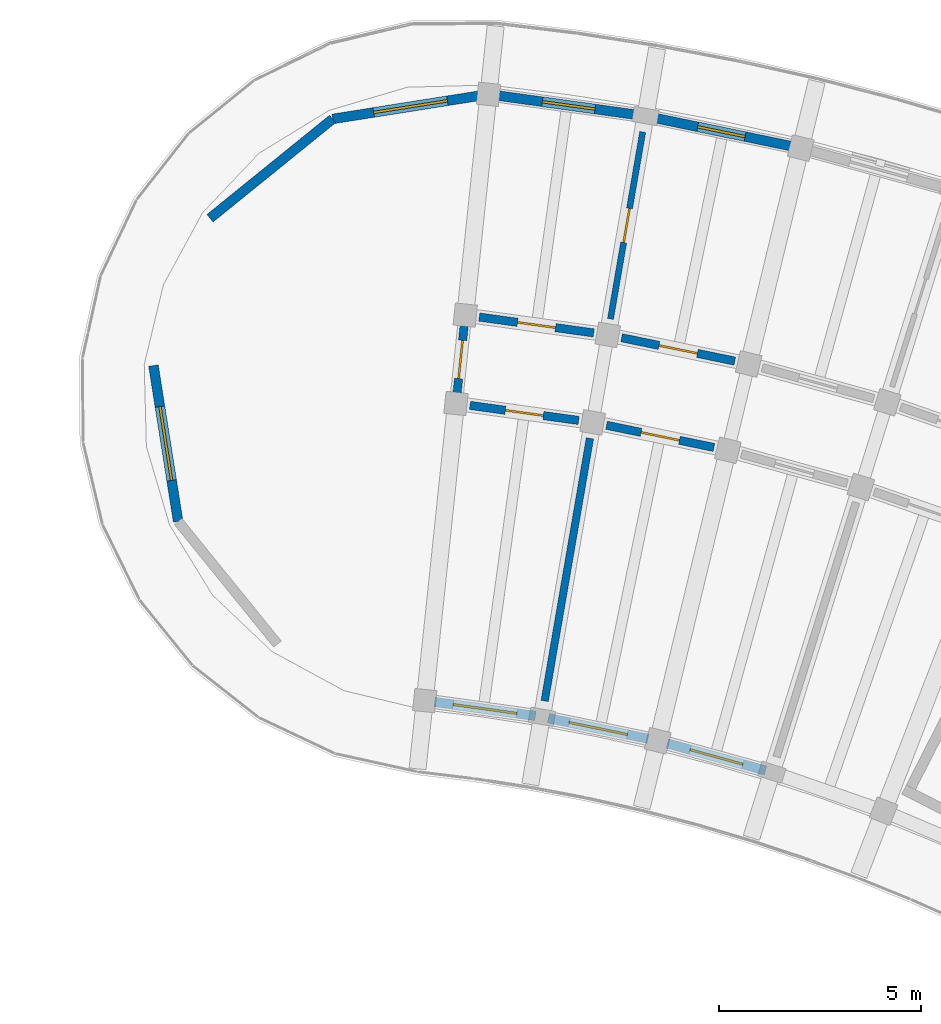
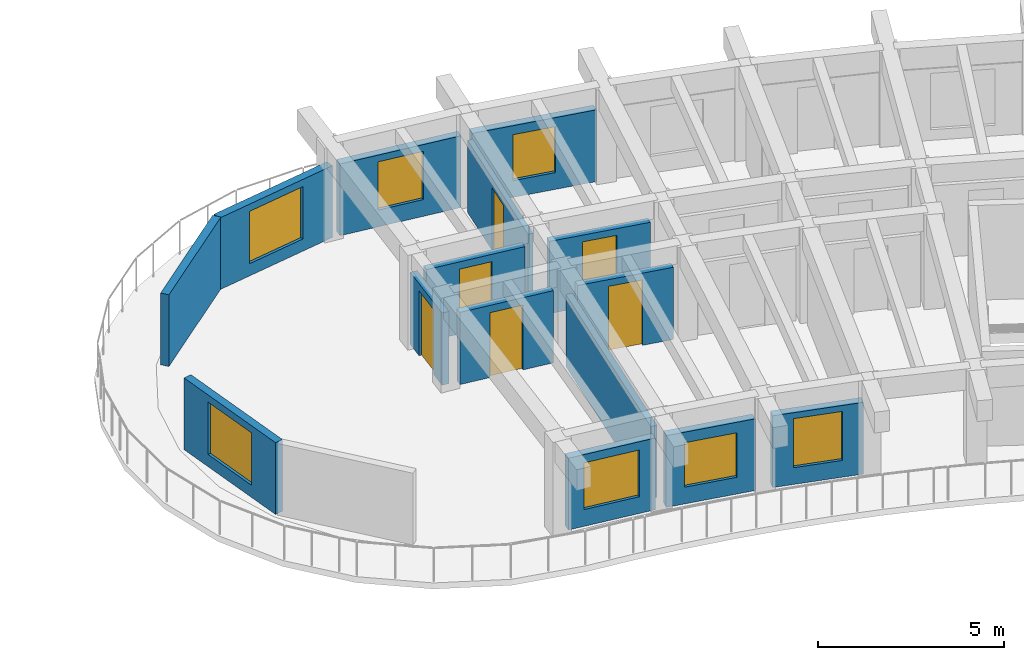
# One storey, part 38 of 69: 15 walls, 7 windows, 6 doors, 13 openings.
"""IFC4 building model written with IfcOpenShell, lengths in metres."""

import ifcopenshell
import ifcopenshell.guid

model = None  # the IFC model being written
_history = None  # IfcOwnerHistory: only IFC2X3 demands one
_inside = {}  # id of a spatial element -> (the spatial element, [elements in it])
_under = {}  # id of a project, library or spatial element -> (it, [spatial elements below it])
_declared = {}  # id of a project -> (the project, [libraries it declares])
_typed = {}  # id of a type object -> (the type object, [elements of that type])
_made_of = {}  # id of a material, layer set ... -> (it, [elements and type objects made of it])


def new_model(schema):
    """Start an empty IFC model of exactly this schema.

    Asked for "IFC4X3", IfcOpenShell would pick the latest addendum, in which some entities
    have other attributes; the version numbers below select the first issue.
    IFC2X3 requires an IfcOwnerHistory on every rooted entity: one is made here for all.
    """
    global model, _history
    if schema == "IFC4X3":
        model = ifcopenshell.file(schema_version=(4, 3, 0, 0))
    else:
        model = ifcopenshell.file(schema=schema)
    _inside.clear()
    _under.clear()
    _declared.clear()
    _typed.clear()
    _made_of.clear()
    _history = None
    if model.schema == "IFC2X3":
        org = make("IfcOrganization", Name="unknown")
        user = make(
            "IfcPersonAndOrganization",
            ThePerson=make("IfcPerson", FamilyName="unknown"),
            TheOrganization=org,
        )
        app = make(
            "IfcApplication",
            ApplicationDeveloper=org,
            Version="unknown",
            ApplicationFullName="unknown",
            ApplicationIdentifier="unknown",
        )
        _history = make(
            "IfcOwnerHistory",
            OwningUser=user,
            OwningApplication=app,
            ChangeAction="ADDED",
            CreationDate=0,
        )
    return model


def make(cls, **values):
    """One entity of the class cls with the attributes given. An attribute that is None is left unset."""
    return model.create_entity(
        cls, **{name: value for name, value in values.items() if value is not None}
    )


def rooted(cls, **values):
    """An entity with a GlobalId (a new one), such as an element, a storey or a relation."""
    return make(cls, GlobalId=ifcopenshell.guid.new(), OwnerHistory=_history, **values)


def si_unit(unit_type, name, prefix=None):
    """IfcSIUnit, for example si_unit("LENGTHUNIT", "METRE", prefix="MILLI")."""
    return make("IfcSIUnit", UnitType=unit_type, Prefix=prefix, Name=name)


def assignment(units):
    """IfcUnitAssignment: the units of a project."""
    return None if units is None else make("IfcUnitAssignment", Units=units)


def point(xyz):
    """IfcCartesianPoint."""
    return None if xyz is None else make("IfcCartesianPoint", Coordinates=xyz)


def direction(xyz):
    """IfcDirection."""
    return None if xyz is None else make("IfcDirection", DirectionRatios=xyz)


def frame(location, z_axis=None, x_axis=None):
    """IfcAxis2Placement3D, a coordinate frame: its origin and axes. An axis left out is left unset."""
    return make(
        "IfcAxis2Placement3D",
        Location=point(location),
        Axis=direction(z_axis),
        RefDirection=direction(x_axis),
    )


def frame_2d(location, x_axis=None):
    """IfcAxis2Placement2D, a coordinate frame in the plane: its origin and x axis."""
    return make(
        "IfcAxis2Placement2D", Location=point(location), RefDirection=direction(x_axis)
    )


def origin():
    """The frame at (0, 0, 0) with its axes left unset."""
    return frame((0.0, 0.0, 0.0))


def place(relative_to, where):
    """IfcLocalPlacement: puts the frame where relative to a parent placement (None: the world)."""
    return make(
        "IfcLocalPlacement", PlacementRelTo=relative_to, RelativePlacement=where
    )


def context(
    kind, dimensions, precision=None, world=None, true_north=None, identifier=None
):
    """IfcGeometricRepresentationContext, for example the 3D "Model" context."""
    return make(
        "IfcGeometricRepresentationContext",
        ContextIdentifier=identifier,
        ContextType=kind,
        CoordinateSpaceDimension=dimensions,
        Precision=precision,
        WorldCoordinateSystem=world,
        TrueNorth=true_north,
    )


def subcontext(parent, identifier, kind, view, scale=None):
    """IfcGeometricRepresentationSubContext, for example "Body" below "Model"."""
    return make(
        "IfcGeometricRepresentationSubContext",
        ContextIdentifier=identifier,
        ContextType=kind,
        ParentContext=parent,
        TargetScale=scale,
        TargetView=view,
    )


def project(units=None, contexts=None):
    """IfcProject with its units and contexts."""
    return rooted(
        "IfcProject",
        Name="project",
        RepresentationContexts=contexts,
        UnitsInContext=assignment(units),
    )


def spatial(cls, under=None, at=None, **own):
    """A site, building, storey or space (cls), placed at a placement, below another one or the project."""
    s = rooted(cls, ObjectPlacement=at, **own)
    if under is not None:
        _under.setdefault(under.id(), (under, []))[1].append(s)
    return s


def profile(cls, at=None, kind="AREA", **sizes):
    """A parametric profile (cls). Its sizes go by their IFC names, for example OverallWidth=200.0."""
    return make(cls, ProfileType=kind, Position=at, **sizes)


def rectangle(**sizes):
    """IfcRectangleProfileDef."""
    return profile("IfcRectangleProfileDef", **sizes)


def extrude(swept, where, along, depth):
    """IfcExtrudedAreaSolid: the profile swept, set in the frame where, extruded along a direction by depth."""
    return make(
        "IfcExtrudedAreaSolid",
        SweptArea=swept,
        Position=where,
        ExtrudedDirection=direction(along),
        Depth=depth,
    )


def shape(context_of_items, identifier, shape_type, items):
    """IfcShapeRepresentation: the items that make up one representation, for example the "Body"."""
    return make(
        "IfcShapeRepresentation",
        ContextOfItems=context_of_items,
        RepresentationIdentifier=identifier,
        RepresentationType=shape_type,
        Items=items,
    )


def material(Name=None, Category=None):
    """IfcMaterial."""
    return make("IfcMaterial", Name=Name, Category=Category)


def layer(
    of_material, thickness, ventilated=None, Name=None, Category=None, Priority=None
):
    """IfcMaterialLayer: one layer of a wall or slab, of a material (None: an air gap)."""
    return make(
        "IfcMaterialLayer",
        Material=of_material,
        LayerThickness=thickness,
        IsVentilated=ventilated,
        Name=Name,
        Category=Category,
        Priority=Priority,
    )


def layer_set(layers, Name=None):
    """IfcMaterialLayerSet."""
    return make("IfcMaterialLayerSet", MaterialLayers=layers, LayerSetName=Name)


def made_of(thing, what):
    """Note that an element or type object is made of a material, layer set ...; save() writes the relation."""
    if what is not None:
        _made_of.setdefault(what.id(), (what, []))[1].append(thing)
    return thing


def type_object(cls, material=None, **own):
    """A type object (cls), such as IfcWallType, which elements share."""
    return made_of(rooted(cls, **own), material)


def element(
    cls,
    number,
    at=None,
    inside=None,
    cuts=None,
    type_object=None,
    material=None,
    context=None,
    identifier="Body",
    shape_type=None,
    held_by="IfcProductDefinitionShape",
    body=None,
    shapes=None,
    **own,
):
    """One element of the class cls, such as IfcWall. Its Tag is "e" and its number.

    at: its placement. inside: the storey or other place that contains it. cuts: it is an
    opening in that element (IfcRelVoidsElement). A single representation is given by context,
    identifier, shape_type and body (its items); several are given by shapes. held_by: the class
    of the entity that holds the representations. save() writes the other relations.
    """
    e = rooted(cls, Tag="e%d" % number, ObjectPlacement=at, **own)
    if body is not None:
        shapes = [shape(context, identifier, shape_type, body)]
    if shapes is not None:
        e.Representation = make(held_by, Representations=shapes)
    if inside is not None:
        _inside.setdefault(inside.id(), (inside, []))[1].append(e)
    if cuts is not None:
        rooted(
            "IfcRelVoidsElement", RelatingBuildingElement=cuts, RelatedOpeningElement=e
        )
    if type_object is not None:
        _typed.setdefault(type_object.id(), (type_object, []))[1].append(e)
    return made_of(e, material)


def fill(opening, filler):
    """IfcRelFillsElement: the door or window that sits in an opening."""
    return rooted(
        "IfcRelFillsElement",
        RelatingOpeningElement=opening,
        RelatedBuildingElement=filler,
    )


def aggregate(whole, parts):
    """IfcRelAggregates: a whole, such as a stair, and the parts it consists of."""
    return rooted("IfcRelAggregates", RelatingObject=whole, RelatedObjects=parts)


def save(model, path):
    """Write the relations noted so far, then the file.

    IfcRelAggregates (storeys below a building ...), IfcRelContainedInSpatialStructure (elements
    in a storey), IfcRelDefinesByType, IfcRelAssociatesMaterial and IfcRelDeclares: one each for
    every whole, place, type object, material and project.
    """
    for whole, parts in _under.values():
        aggregate(whole, parts)
    for where, things in _inside.values():
        rooted(
            "IfcRelContainedInSpatialStructure",
            RelatedElements=things,
            RelatingStructure=where,
        )
    for kind, things in _typed.values():
        rooted("IfcRelDefinesByType", RelatedObjects=things, RelatingType=kind)
    for what, things in _made_of.values():
        rooted("IfcRelAssociatesMaterial", RelatedObjects=things, RelatingMaterial=what)
    for by, libraries in _declared.values():
        rooted("IfcRelDeclares", RelatingContext=by, RelatedDefinitions=libraries)
    model.write(path)


model = new_model("IFC4")

# Units and contexts
model_context = context("Model", 3, precision=1e-05, world=origin(), true_north=direction((0.0, 1.0)))
body_context = subcontext(model_context, "Body", "Model", "MODEL_VIEW")
ifc_project = project(units=[si_unit("LENGTHUNIT", "METRE"), si_unit("AREAUNIT", "SQUARE_METRE"), si_unit("VOLUMEUNIT", "CUBIC_METRE"), si_unit("PLANEANGLEUNIT", "RADIAN"), si_unit("MASSUNIT", "GRAM", prefix="KILO")], contexts=[model_context])

# Site, building, storey
site_placement = place(None, origin())
site = spatial("IfcSite", under=ifc_project, at=site_placement, CompositionType="ELEMENT")
building_placement = place(site_placement, origin())
building = spatial("IfcBuilding", under=site, at=building_placement, Name="Tanwirah Colonnade Gardens", CompositionType="ELEMENT")
storey_placement = place(building_placement, frame((0.0, 0.0, 15.56005859375)))
storey = spatial("IfcBuildingStorey", under=building, at=storey_placement, Name="L04", CompositionType="ELEMENT", Elevation=15.56005859375)

# Wall, opening, window
ifc_material_1 = material(Name="Limestone architectural precast concrete C40/50", Category="masonry")
ifc_layer_1 = layer(ifc_material_1, 0.239990234375)
ifc_layer_set_1 = layer_set([ifc_layer_1], Name="Limestone architectural precast concrete C40/50")
wall_type_1 = type_object("IfcWallType", Name="EW-PC240", PredefinedType="SOLIDWALL", material=ifc_layer_set_1)
wall_1_placement = place(storey_placement, frame((134.0888671875, 102.674072265625, 0.0), z_axis=(0.0, 0.0, 1.0), x_axis=(-0.963901971286, 0.266257375017, 0.0)))
wall_1 = element("IfcWall", 1, at=wall_1_placement, inside=storey, type_object=wall_type_1, Name="Block B L04 IN Precast Facade Wall 15", PredefinedType="SOLIDWALL", context=body_context, shape_type="SweptSolid", body=[
    extrude(rectangle(XDim=2.525146484375, YDim=0.239990234375, at=frame_2d((1.2626953125, 0.0))), origin(), (0.0, 0.0, 1.0), 2.35498046875),
])
opening_1_placement = place(wall_1_placement, frame((0.58251953125, 0.0, 0.550048828125)))
opening_1 = element("IfcOpeningElement", 2, at=opening_1_placement, cuts=wall_1, Name="Opening WIN-U06", PredefinedType="OPENING", context=body_context, shape_type="SweptSolid", body=[
    extrude(rectangle(XDim=1.360107421875, YDim=1.610107421875, at=frame_2d((0.68017578125, 0.80517578125))), frame((0.0, 0.1298828125, 0.0), z_axis=(0.0, -1.0, 0.0), x_axis=(1.0, 0.0, 0.0)), (0.0, 0.0, 1.0), 0.260009765625),
])
ifc_material_2 = material(Name="Thermally broken bronze aluminium and solar low-E double glazing", Category="aluminium")
window_type_1 = type_object("IfcWindowType", Name="WIN-U06", PartitioningType="DOUBLE_PANEL_VERTICAL", PredefinedType="WINDOW", material=ifc_material_2)
window_1_placement = place(opening_1_placement, origin())
window_1 = element("IfcWindow", 3, at=window_1_placement, inside=storey, type_object=window_type_1, Name="Facade window B-L04-IN-15", OverallHeight=1.610107421875, OverallWidth=1.360107421875, PartitioningType="SINGLE_PANEL", PredefinedType="WINDOW", context=body_context, shape_type="SweptSolid", body=[
    extrude(rectangle(XDim=1.360107421875, YDim=1.610107421875, at=frame_2d((0.68017578125, 0.80517578125))), frame((0.0, 0.030029296875, 0.0), z_axis=(0.0, -1.0, 0.0), x_axis=(1.0, 0.0, 0.0)), (0.0, 0.0, 1.0), 0.06005859375),
])
fill(opening_1, window_1)

wall_2_placement = place(storey_placement, frame((134.7177734375, 118.140625, 0.0), z_axis=(0.0, 0.0, 1.0), x_axis=(-0.979340051053, 0.202220336275, 0.0)))
wall_2 = element("IfcWall", 4, at=wall_2_placement, inside=storey, type_object=wall_type_1, Name="Block B L04 OUT Precast Facade Wall 16", PredefinedType="SOLIDWALL", context=body_context, shape_type="SweptSolid", body=[
    extrude(rectangle(XDim=3.5205078125, YDim=0.239990234375, at=frame_2d((1.76025390625, 0.0))), origin(), (0.0, 0.0, 1.0), 2.35498046875),
])
opening_2_placement = place(wall_2_placement, frame((1.160400390625, 0.0, 0.550048828125)))
opening_2 = element("IfcOpeningElement", 5, at=opening_2_placement, cuts=wall_2, Name="Opening WIN-U02", PredefinedType="OPENING", context=body_context, shape_type="SweptSolid", body=[
    extrude(rectangle(XDim=1.199951171875, YDim=1.510009765625, at=frame_2d((0.60009765625, 0.7548828125))), frame((0.0, 0.1298828125, 0.0), z_axis=(0.0, -1.0, 0.0), x_axis=(1.0, 0.0, 0.0)), (0.0, 0.0, 1.0), 0.260009765625),
])
window_type_2 = type_object("IfcWindowType", Name="WIN-U02", PartitioningType="DOUBLE_PANEL_VERTICAL", PredefinedType="WINDOW", material=ifc_material_2)
window_2_placement = place(opening_2_placement, origin())
window_2 = element("IfcWindow", 6, at=window_2_placement, inside=storey, type_object=window_type_2, Name="Facade window B-L04-OUT-16", OverallHeight=1.510009765625, OverallWidth=1.199951171875, PartitioningType="SINGLE_PANEL", PredefinedType="WINDOW", context=body_context, shape_type="SweptSolid", body=[
    extrude(rectangle(XDim=1.199951171875, YDim=1.510009765625, at=frame_2d((0.60009765625, 0.7548828125))), frame((0.0, 0.030029296875, 0.0), z_axis=(0.0, -1.0, 0.0), x_axis=(1.0, 0.0, 0.0)), (0.0, 0.0, 1.0), 0.06005859375),
])
fill(opening_2, window_2)

wall_3_placement = place(storey_placement, frame((131.1787109375, 103.46142578125, 0.0), z_axis=(0.0, 0.0, 1.0), x_axis=(-0.979353576928, 0.202154820272, 0.0)))
wall_3 = element("IfcWall", 7, at=wall_3_placement, inside=storey, type_object=wall_type_1, Name="Block B L04 IN Precast Facade Wall 16", PredefinedType="SOLIDWALL", context=body_context, shape_type="SweptSolid", body=[
    extrude(rectangle(XDim=2.525390625, YDim=0.239990234375, at=frame_2d((1.2626953125, 0.0))), origin(), (0.0, 0.0, 1.0), 2.35498046875),
])
opening_3_placement = place(wall_3_placement, frame((0.522705078125, 0.0, 0.550048828125)))
opening_3 = element("IfcOpeningElement", 8, at=opening_3_placement, cuts=wall_3, Name="Opening WIN-U09", PredefinedType="OPENING", context=body_context, shape_type="SweptSolid", body=[
    extrude(rectangle(XDim=1.47998046875, YDim=1.4599609375, at=frame_2d((0.739990234375, 0.72998046875))), frame((0.0, 0.1298828125, 0.0), z_axis=(0.0, -1.0, 0.0), x_axis=(1.0, 0.0, 0.0)), (0.0, 0.0, 1.0), 0.260009765625),
])
window_type_3 = type_object("IfcWindowType", Name="WIN-U09", PartitioningType="DOUBLE_PANEL_VERTICAL", PredefinedType="WINDOW", material=ifc_material_2)
window_3_placement = place(opening_3_placement, origin())
window_3 = element("IfcWindow", 9, at=window_3_placement, inside=storey, type_object=window_type_3, Name="Facade window B-L04-IN-16", OverallHeight=1.4599609375, OverallWidth=1.47998046875, PartitioningType="SINGLE_PANEL", PredefinedType="WINDOW", context=body_context, shape_type="SweptSolid", body=[
    extrude(rectangle(XDim=1.47998046875, YDim=1.4599609375, at=frame_2d((0.739990234375, 0.72998046875))), frame((0.0, 0.030029296875, 0.0), z_axis=(0.0, -1.0, 0.0), x_axis=(1.0, 0.0, 0.0)), (0.0, 0.0, 1.0), 0.06005859375),
])
fill(opening_3, window_3)

wall_4_placement = place(storey_placement, frame((130.954833984375, 118.906982421875, 0.0), z_axis=(0.0, 0.0, 1.0), x_axis=(-0.990539718913, 0.137226328578, 0.0)))
wall_4 = element("IfcWall", 10, at=wall_4_placement, inside=storey, type_object=wall_type_1, Name="Block B L04 OUT Precast Facade Wall 17", PredefinedType="SOLIDWALL", context=body_context, shape_type="SweptSolid", body=[
    extrude(rectangle(XDim=3.520751953125, YDim=0.239990234375, at=frame_2d((1.76025390625, 0.0))), origin(), (0.0, 0.0, 1.0), 2.35498046875),
])
opening_4_placement = place(wall_4_placement, frame((1.100341796875, 0.0, 0.550048828125)))
opening_4 = element("IfcOpeningElement", 11, at=opening_4_placement, cuts=wall_4, Name="Opening WIN-U05", PredefinedType="OPENING", context=body_context, shape_type="SweptSolid", body=[
    extrude(rectangle(XDim=1.320068359375, YDim=1.5849609375, at=frame_2d((0.66015625, 0.79248046875))), frame((0.0, 0.1298828125, 0.0), z_axis=(0.0, -1.0, 0.0), x_axis=(1.0, 0.0, 0.0)), (0.0, 0.0, 1.0), 0.260009765625),
])
window_type_4 = type_object("IfcWindowType", Name="WIN-U05", PartitioningType="DOUBLE_PANEL_VERTICAL", PredefinedType="WINDOW", material=ifc_material_2)
window_4_placement = place(opening_4_placement, origin())
window_4 = element("IfcWindow", 12, at=window_4_placement, inside=storey, type_object=window_type_4, Name="Facade window B-L04-OUT-17", OverallHeight=1.5849609375, OverallWidth=1.320068359375, PartitioningType="SINGLE_PANEL", PredefinedType="WINDOW", context=body_context, shape_type="SweptSolid", body=[
    extrude(rectangle(XDim=1.320068359375, YDim=1.5849609375, at=frame_2d((0.66015625, 0.79248046875))), frame((0.0, 0.030029296875, 0.0), z_axis=(0.0, -1.0, 0.0), x_axis=(1.0, 0.0, 0.0)), (0.0, 0.0, 1.0), 0.06005859375),
])
fill(opening_4, window_4)

wall_5_placement = place(storey_placement, frame((128.390380859375, 104.0263671875, 0.0), z_axis=(0.0, 0.0, 1.0), x_axis=(-0.990545622952, 0.13718370476, 0.0)))
wall_5 = element("IfcWall", 13, at=wall_5_placement, inside=storey, type_object=wall_type_1, Name="Block B L04 IN Precast Facade Wall 17", PredefinedType="SOLIDWALL", context=body_context, shape_type="SweptSolid", body=[
    extrude(rectangle(XDim=2.525390625, YDim=0.239990234375, at=frame_2d((1.2626953125, 0.0))), origin(), (0.0, 0.0, 1.0), 2.35498046875),
])
opening_5_placement = place(wall_5_placement, frame((0.462646484375, 0.0, 0.550048828125)))
opening_5 = element("IfcOpeningElement", 14, at=opening_5_placement, cuts=wall_5, Name="Opening WIN-U12", PredefinedType="OPENING", context=body_context, shape_type="SweptSolid", body=[
    extrude(rectangle(XDim=1.60009765625, YDim=1.534912109375, at=frame_2d((0.800048828125, 0.767578125))), frame((0.0, 0.1298828125, 0.0), z_axis=(0.0, -1.0, 0.0), x_axis=(1.0, 0.0, 0.0)), (0.0, 0.0, 1.0), 0.260009765625),
])
window_type_5 = type_object("IfcWindowType", Name="WIN-U12", PartitioningType="DOUBLE_PANEL_VERTICAL", PredefinedType="WINDOW", material=ifc_material_2)
window_5_placement = place(opening_5_placement, origin())
window_5 = element("IfcWindow", 15, at=window_5_placement, inside=storey, type_object=window_type_5, Name="Facade window B-L04-IN-17", OverallHeight=1.534912109375, OverallWidth=1.60009765625, PartitioningType="SINGLE_PANEL", PredefinedType="WINDOW", context=body_context, shape_type="SweptSolid", body=[
    extrude(rectangle(XDim=1.60009765625, YDim=1.534912109375, at=frame_2d((0.800048828125, 0.767578125))), frame((0.0, 0.030029296875, 0.0), z_axis=(0.0, -1.0, 0.0), x_axis=(1.0, 0.0, 0.0)), (0.0, 0.0, 1.0), 0.06005859375),
])
fill(opening_5, window_5)

wall_6_placement = place(storey_placement, frame((119.538330078125, 108.84423828125, 0.0), z_axis=(0.0, 0.0, 1.0), x_axis=(-0.15648221771, 0.987680776132, 0.0)))
wall_6 = element("IfcWall", 16, at=wall_6_placement, inside=storey, type_object=wall_type_1, Name="Block B L04 END Rounded End Wall 2", PredefinedType="SOLIDWALL", context=body_context, shape_type="SweptSolid", body=[
    extrude(rectangle(XDim=3.908203125, YDim=0.239990234375, at=frame_2d((1.9541015625, 0.0))), origin(), (0.0, 0.0, 1.0), 2.35498046875),
])
opening_6_placement = place(wall_6_placement, frame((1.029052734375, 0.0, 0.39990234375)))
opening_6 = element("IfcOpeningElement", 17, at=opening_6_placement, cuts=wall_6, Name="Opening WIN-END1", PredefinedType="OPENING", context=body_context, shape_type="SweptSolid", body=[
    extrude(rectangle(XDim=1.85009765625, YDim=1.719970703125, at=frame_2d((0.925048828125, 0.85986328125))), frame((0.0, 0.1298828125, 0.0), z_axis=(0.0, -1.0, 0.0), x_axis=(1.0, 0.0, 0.0)), (0.0, 0.0, 1.0), 0.260009765625),
])
window_type_6 = type_object("IfcWindowType", Name="WIN-END1", PartitioningType="TRIPLE_PANEL_VERTICAL", PredefinedType="WINDOW", material=ifc_material_2)
window_6_placement = place(opening_6_placement, origin())
window_6 = element("IfcWindow", 18, at=window_6_placement, inside=storey, type_object=window_type_6, Name="Rounded corner window B-L04-END-2", OverallHeight=1.719970703125, OverallWidth=1.85009765625, PartitioningType="SINGLE_PANEL", PredefinedType="WINDOW", context=body_context, shape_type="SweptSolid", body=[
    extrude(rectangle(XDim=1.85009765625, YDim=1.719970703125, at=frame_2d((0.925048828125, 0.85986328125))), frame((0.0, 0.030029296875, 0.0), z_axis=(0.0, -1.0, 0.0), x_axis=(1.0, 0.0, 0.0)), (0.0, 0.0, 1.0), 0.06005859375),
])
fill(opening_6, window_6)

# Wall
wall_7_placement = place(storey_placement, frame((120.327392578125, 116.35302734375, 0.0), z_axis=(0.0, 0.0, 1.0), x_axis=(0.777137204109, 0.629331205321, 0.0)))
element("IfcWall", 19, at=wall_7_placement, inside=storey, type_object=wall_type_1, Name="Block B L04 END Rounded End Wall 4", PredefinedType="SOLIDWALL", context=body_context, shape_type="SweptSolid", body=[
    extrude(rectangle(XDim=3.907958984375, YDim=0.239990234375, at=frame_2d((1.9541015625, 0.0))), origin(), (0.0, 0.0, 1.0), 2.35498046875),
])

# Wall, opening, window
wall_8_placement = place(storey_placement, frame((123.364501953125, 118.8125, 0.0), z_axis=(0.0, 0.0, 1.0), x_axis=(0.987690429048, 0.156421278498, 0.0)))
wall_8 = element("IfcWall", 20, at=wall_8_placement, inside=storey, type_object=wall_type_1, Name="Block B L04 END Rounded End Wall 5", PredefinedType="SOLIDWALL", context=body_context, shape_type="SweptSolid", body=[
    extrude(rectangle(XDim=3.908203125, YDim=0.239990234375, at=frame_2d((1.9541015625, 0.0))), origin(), (0.0, 0.0, 1.0), 2.35498046875),
])
opening_7_placement = place(wall_8_placement, frame((1.029052734375, 0.0, 0.39990234375)))
opening_7 = element("IfcOpeningElement", 21, at=opening_7_placement, cuts=wall_8, Name="Opening WIN-END1", PredefinedType="OPENING", context=body_context, shape_type="SweptSolid", body=[
    extrude(rectangle(XDim=1.85009765625, YDim=1.719970703125, at=frame_2d((0.925048828125, 0.85986328125))), frame((0.0, 0.1298828125, 0.0), z_axis=(0.0, -1.0, 0.0), x_axis=(1.0, 0.0, 0.0)), (0.0, 0.0, 1.0), 0.260009765625),
])
window_7_placement = place(opening_7_placement, origin())
window_7 = element("IfcWindow", 22, at=window_7_placement, inside=storey, type_object=window_type_6, Name="Rounded corner window B-L04-END-5", OverallHeight=1.719970703125, OverallWidth=1.85009765625, PartitioningType="SINGLE_PANEL", PredefinedType="WINDOW", context=body_context, shape_type="SweptSolid", body=[
    extrude(rectangle(XDim=1.85009765625, YDim=1.719970703125, at=frame_2d((0.925048828125, 0.85986328125))), frame((0.0, 0.030029296875, 0.0), z_axis=(0.0, -1.0, 0.0), x_axis=(1.0, 0.0, 0.0)), (0.0, 0.0, 1.0), 0.06005859375),
])
fill(opening_7, window_7)

# Wall, opening, door
ifc_material_3 = material(Name="Precast concrete C40/50", Category="concrete")
ifc_layer_2 = layer(ifc_material_3, 0.205078125)
ifc_layer_set_2 = layer_set([ifc_layer_2], Name="Precast concrete C40/50")
wall_type_2 = type_object("IfcWallType", Name="IW-CORR205", PredefinedType="PARTITIONING", material=ifc_layer_set_2)
wall_9_placement = place(storey_placement, frame((133.325927734375, 112.815185546875, 0.0), z_axis=(0.0, 0.0, 1.0), x_axis=(-0.979348418612, 0.202179808492, 0.0)))
wall_9 = element("IfcWall", 23, at=wall_9_placement, inside=storey, type_object=wall_type_2, Name="Block B L04 OUT Corridor Wall 16", PredefinedType="PARTITIONING", context=body_context, shape_type="SweptSolid", body=[
    extrude(rectangle(XDim=2.863037109375, YDim=0.205078125, at=frame_2d((1.431640625, 0.0))), origin(), (0.0, 0.0, 1.0), 2.369873046875),
])
opening_8_placement = place(wall_9_placement, frame((0.946533203125, 0.0, 0.0)))
opening_8 = element("IfcOpeningElement", 24, at=opening_8_placement, cuts=wall_9, Name="Opening L04-AD995", PredefinedType="OPENING", context=body_context, shape_type="SweptSolid", body=[
    extrude(rectangle(XDim=0.969970703125, YDim=2.14990234375, at=frame_2d((0.48486328125, 1.074951171875))), frame((0.0, 0.112548828125, 0.0), z_axis=(0.0, -1.0, 0.0), x_axis=(1.0, 0.0, 0.0)), (0.0, 0.0, 1.0), 0.22509765625),
])
ifc_material_4 = material(Name="Solid oak fire-resisting apartment entrance door")
door_type_1 = type_object("IfcDoorType", Name="ID-FLT097", OperationType="NOTDEFINED", PredefinedType="DOOR", material=ifc_material_4)
door_1_placement = place(opening_8_placement, origin())
door_1 = element("IfcDoor", 25, at=door_1_placement, inside=storey, type_object=door_type_1, Name="Apartment corridor door L04-AD995", OperationType="SINGLE_SWING_LEFT", OverallHeight=2.14990234375, OverallWidth=0.969970703125, PredefinedType="DOOR", context=body_context, shape_type="SweptSolid", body=[
    extrude(rectangle(XDim=0.969970703125, YDim=2.14990234375, at=frame_2d((0.48486328125, 1.074951171875))), frame((0.0, 0.02490234375, 0.0), z_axis=(0.0, -1.0, 0.0), x_axis=(1.0, 0.0, 0.0)), (0.0, 0.0, 1.0), 0.050048828125),
])
fill(opening_8, door_1)

wall_10_placement = place(storey_placement, frame((132.810302734375, 110.676513671875, 0.0), z_axis=(0.0, 0.0, 1.0), x_axis=(-0.979349423541, 0.202174940608, 0.0)))
wall_10 = element("IfcWall", 26, at=wall_10_placement, inside=storey, type_object=wall_type_2, Name="Block B L04 IN Corridor Wall 16", PredefinedType="PARTITIONING", context=body_context, shape_type="SweptSolid", body=[
    extrude(rectangle(XDim=2.71826171875, YDim=0.205078125, at=frame_2d((1.359130859375, 0.0))), origin(), (0.0, 0.0, 1.0), 2.369873046875),
])
opening_9_placement = place(wall_10_placement, frame((0.8740234375, 0.0, 0.0)))
opening_9 = element("IfcOpeningElement", 27, at=opening_9_placement, cuts=wall_10, Name="Opening L04-AD996", PredefinedType="OPENING", context=body_context, shape_type="SweptSolid", body=[
    extrude(rectangle(XDim=0.969970703125, YDim=2.14990234375, at=frame_2d((0.48486328125, 1.074951171875))), frame((0.0, 0.112548828125, 0.0), z_axis=(0.0, -1.0, 0.0), x_axis=(1.0, 0.0, 0.0)), (0.0, 0.0, 1.0), 0.22509765625),
])
door_2_placement = place(opening_9_placement, origin())
door_2 = element("IfcDoor", 28, at=door_2_placement, inside=storey, type_object=door_type_1, Name="Apartment corridor door L04-AD996", OperationType="SINGLE_SWING_RIGHT", OverallHeight=2.14990234375, OverallWidth=0.969970703125, PredefinedType="DOOR", context=body_context, shape_type="SweptSolid", body=[
    extrude(rectangle(XDim=0.969970703125, YDim=2.14990234375, at=frame_2d((0.48486328125, 1.074951171875))), frame((0.0, 0.02490234375, 0.0), z_axis=(0.0, -1.0, 0.0), x_axis=(1.0, 0.0, 0.0)), (0.0, 0.0, 1.0), 0.050048828125),
])
fill(opening_9, door_2)

wall_11_placement = place(storey_placement, frame((129.83251953125, 113.512939453125, 0.0), z_axis=(0.0, 0.0, 1.0), x_axis=(-0.990544162976, 0.137194246211, 0.0)))
wall_11 = element("IfcWall", 29, at=wall_11_placement, inside=storey, type_object=wall_type_2, Name="Block B L04 OUT Corridor Wall 17", PredefinedType="PARTITIONING", context=body_context, shape_type="SweptSolid", body=[
    extrude(rectangle(XDim=2.86328125, YDim=0.205078125, at=frame_2d((1.431640625, 0.0))), origin(), (0.0, 0.0, 1.0), 2.369873046875),
])
opening_10_placement = place(wall_11_placement, frame((0.95654296875, 0.0, 0.0)))
opening_10 = element("IfcOpeningElement", 30, at=opening_10_placement, cuts=wall_11, Name="Opening L04-AD998", PredefinedType="OPENING", context=body_context, shape_type="SweptSolid", body=[
    extrude(rectangle(XDim=0.949951171875, YDim=2.1298828125, at=frame_2d((0.47509765625, 1.06494140625))), frame((0.0, 0.112548828125, 0.0), z_axis=(0.0, -1.0, 0.0), x_axis=(1.0, 0.0, 0.0)), (0.0, 0.0, 1.0), 0.22509765625),
])
door_type_2 = type_object("IfcDoorType", Name="ID-FLT095", OperationType="NOTDEFINED", PredefinedType="DOOR", material=ifc_material_4)
door_3_placement = place(opening_10_placement, origin())
door_3 = element("IfcDoor", 31, at=door_3_placement, inside=storey, type_object=door_type_2, Name="Apartment corridor door L04-AD998", OperationType="SINGLE_SWING_RIGHT", OverallHeight=2.1298828125, OverallWidth=0.949951171875, PredefinedType="DOOR", context=body_context, shape_type="SweptSolid", body=[
    extrude(rectangle(XDim=0.949951171875, YDim=2.1298828125, at=frame_2d((0.47509765625, 1.06494140625))), frame((0.0, 0.02490234375, 0.0), z_axis=(0.0, -1.0, 0.0), x_axis=(1.0, 0.0, 0.0)), (0.0, 0.0, 1.0), 0.050048828125),
])
fill(opening_10, door_3)

wall_12_placement = place(storey_placement, frame((129.458740234375, 111.344970703125, 0.0), z_axis=(0.0, 0.0, 1.0), x_axis=(-0.990535404475, 0.137257467855, 0.0)))
wall_12 = element("IfcWall", 32, at=wall_12_placement, inside=storey, type_object=wall_type_2, Name="Block B L04 IN Corridor Wall 17", PredefinedType="PARTITIONING", context=body_context, shape_type="SweptSolid", body=[
    extrude(rectangle(XDim=2.7177734375, YDim=0.205078125, at=frame_2d((1.35888671875, 0.0))), origin(), (0.0, 0.0, 1.0), 2.369873046875),
])
opening_11_placement = place(wall_12_placement, frame((0.884033203125, 0.0, 0.0)))
opening_11 = element("IfcOpeningElement", 33, at=opening_11_placement, cuts=wall_12, Name="Opening L04-AD999", PredefinedType="OPENING", context=body_context, shape_type="SweptSolid", body=[
    extrude(rectangle(XDim=0.949951171875, YDim=2.1298828125, at=frame_2d((0.47509765625, 1.06494140625))), frame((0.0, 0.112548828125, 0.0), z_axis=(0.0, -1.0, 0.0), x_axis=(1.0, 0.0, 0.0)), (0.0, 0.0, 1.0), 0.22509765625),
])
door_4_placement = place(opening_11_placement, origin())
door_4 = element("IfcDoor", 34, at=door_4_placement, inside=storey, type_object=door_type_2, Name="Apartment corridor door L04-AD999", OperationType="SINGLE_SWING_LEFT", OverallHeight=2.1298828125, OverallWidth=0.949951171875, PredefinedType="DOOR", context=body_context, shape_type="SweptSolid", body=[
    extrude(rectangle(XDim=0.949951171875, YDim=2.1298828125, at=frame_2d((0.47509765625, 1.06494140625))), frame((0.0, 0.02490234375, 0.0), z_axis=(0.0, -1.0, 0.0), x_axis=(1.0, 0.0, 0.0)), (0.0, 0.0, 1.0), 0.050048828125),
])
fill(opening_11, door_4)

wall_13_placement = place(storey_placement, frame((126.425048828125, 111.815673828125, 0.0), z_axis=(0.0, 0.0, 1.0), x_axis=(0.104509292252, 0.994523910136, 0.0)))
wall_13 = element("IfcWall", 35, at=wall_13_placement, inside=storey, type_object=wall_type_2, Name="Block B L04 CE Corner Suite Corridor Wall", PredefinedType="PARTITIONING", context=body_context, shape_type="SweptSolid", body=[
    extrude(rectangle(XDim=2.10009765625, YDim=0.205078125, at=frame_2d((1.050048828125, 0.0))), origin(), (0.0, 0.0, 1.0), 2.369873046875),
])
opening_12_placement = place(wall_13_placement, frame((0.570068359375, 0.0, 0.0)))
opening_12 = element("IfcOpeningElement", 36, at=opening_12_placement, cuts=wall_13, Name="Opening L04-CD1001", PredefinedType="OPENING", context=body_context, shape_type="SweptSolid", body=[
    extrude(rectangle(XDim=0.949951171875, YDim=2.1298828125, at=frame_2d((0.47509765625, 1.06494140625))), frame((0.0, 0.112548828125, 0.0), z_axis=(0.0, -1.0, 0.0), x_axis=(1.0, 0.0, 0.0)), (0.0, 0.0, 1.0), 0.22509765625),
])
door_5_placement = place(opening_12_placement, origin())
door_5 = element("IfcDoor", 37, at=door_5_placement, inside=storey, type_object=door_type_2, Name="Corner suite entrance door L04-CD1001", OperationType="SINGLE_SWING_RIGHT", OverallHeight=2.1298828125, OverallWidth=0.949951171875, PredefinedType="DOOR", context=body_context, shape_type="SweptSolid", body=[
    extrude(rectangle(XDim=0.949951171875, YDim=2.1298828125, at=frame_2d((0.47509765625, 1.06494140625))), frame((0.0, 0.02490234375, 0.0), z_axis=(0.0, -1.0, 0.0), x_axis=(1.0, 0.0, 0.0)), (0.0, 0.0, 1.0), 0.050048828125),
])
fill(opening_12, door_5)

# Wall
ifc_layer_3 = layer(ifc_material_3, 0.18505859375)
ifc_layer_set_3 = layer_set([ifc_layer_3], Name="Precast concrete C40/50")
wall_type_3 = type_object("IfcWallType", Name="IW-DEM185", PredefinedType="PARTITIONING", material=ifc_layer_set_3)
wall_14_placement = place(storey_placement, frame((128.61669921875, 104.3984375, 0.0), z_axis=(0.0, 0.0, 1.0), x_axis=(0.169825160084, 0.985474208187, 0.0)))
element("IfcWall", 38, at=wall_14_placement, inside=storey, type_object=wall_type_3, Name="Block B L04 Inner Radial Partition 16", PredefinedType="PARTITIONING", context=body_context, shape_type="SweptSolid", body=[
    extrude(rectangle(XDim=6.60009765625, YDim=0.18505859375, at=frame_2d((3.300048828125, 0.0))), origin(), (0.0, 0.0, 1.0), 2.369873046875),
])

# Wall, opening, door
ifc_material_5 = material(Name="Water-resistant acoustic plumbing partition")
ifc_layer_4 = layer(ifc_material_5, 0.14990234375)
ifc_layer_set_4 = layer_set([ifc_layer_4], Name="Water-resistant acoustic plumbing partition")
wall_type_4 = type_object("IfcWallType", Name="IW-WET150", PredefinedType="PLUMBINGWALL", material=ifc_layer_set_4)
wall_15_placement = place(storey_placement, frame((130.2470703125, 113.859130859375, 0.0), z_axis=(0.0, 0.0, 1.0), x_axis=(0.169812980219, 0.985476307046, 0.0)))
wall_15 = element("IfcWall", 39, at=wall_15_placement, inside=storey, type_object=wall_type_4, Name="Block B L04 Radial Partition 16", PredefinedType="PLUMBINGWALL", context=body_context, shape_type="SweptSolid", body=[
    extrude(rectangle(XDim=4.699951171875, YDim=0.14990234375, at=frame_2d((2.35009765625, 0.0))), origin(), (0.0, 0.0, 1.0), 2.369873046875),
])
opening_13_placement = place(wall_15_placement, frame((1.919921875, 0.0, 0.0)))
opening_13 = element("IfcOpeningElement", 40, at=opening_13_placement, cuts=wall_15, Name="Opening L04-RD997", PredefinedType="OPENING", context=body_context, shape_type="SweptSolid", body=[
    extrude(rectangle(XDim=0.860107421875, YDim=2.06005859375, at=frame_2d((0.43017578125, 1.030029296875))), frame((0.0, 0.0849609375, 0.0), z_axis=(0.0, -1.0, 0.0), x_axis=(1.0, 0.0, 0.0)), (0.0, 0.0, 1.0), 0.169921875),
])
ifc_material_6 = material(Name="Moisture-resistant bathroom door")
door_type_3 = type_object("IfcDoorType", Name="ID-WET086", OperationType="NOTDEFINED", PredefinedType="DOOR", material=ifc_material_6)
door_6_placement = place(opening_13_placement, origin())
door_6 = element("IfcDoor", 41, at=door_6_placement, inside=storey, type_object=door_type_3, Name="Internal apartment door L04-RD997", OperationType="SINGLE_SWING_LEFT", OverallHeight=2.06005859375, OverallWidth=0.860107421875, PredefinedType="DOOR", context=body_context, shape_type="SweptSolid", body=[
    extrude(rectangle(XDim=0.860107421875, YDim=2.06005859375, at=frame_2d((0.43017578125, 1.030029296875))), frame((0.0, 0.02490234375, 0.0), z_axis=(0.0, -1.0, 0.0), x_axis=(1.0, 0.0, 0.0)), (0.0, 0.0, 1.0), 0.050048828125),
])
fill(opening_13, door_6)

save(model, "model.ifc")
